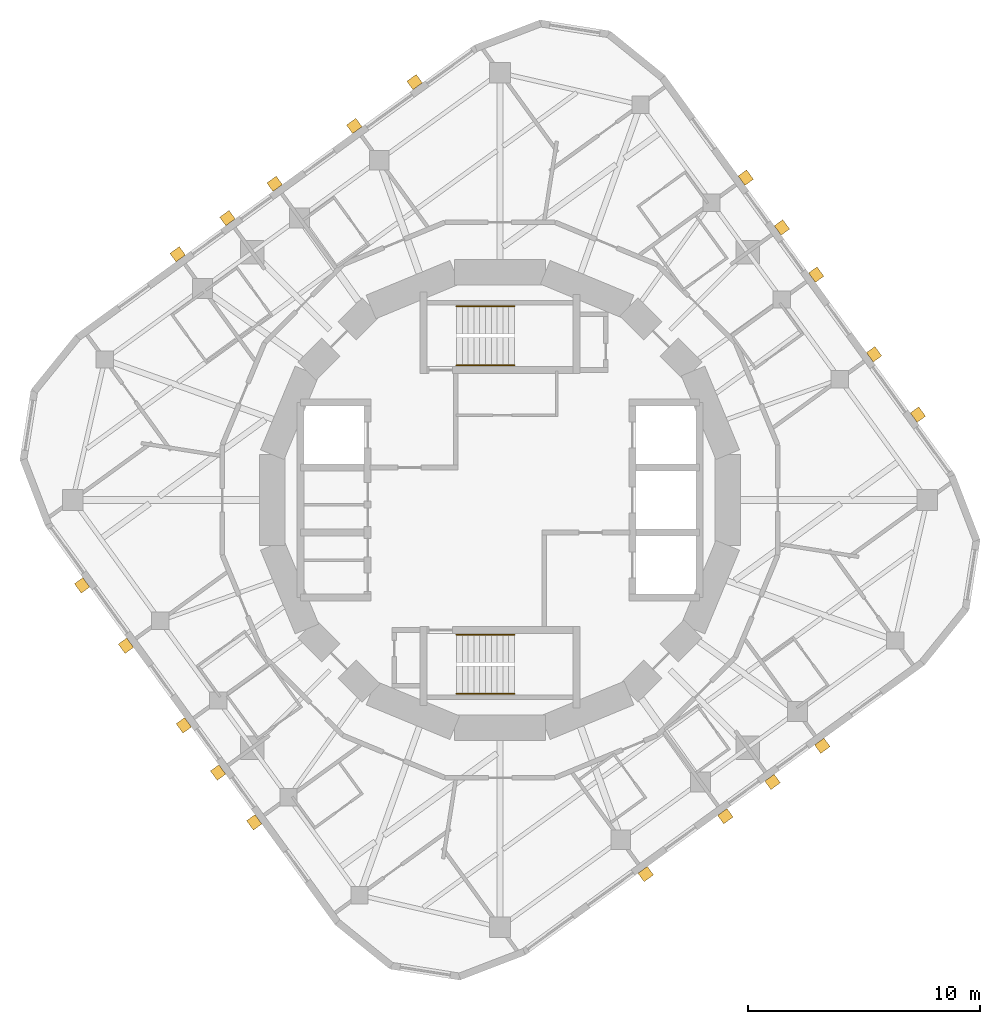
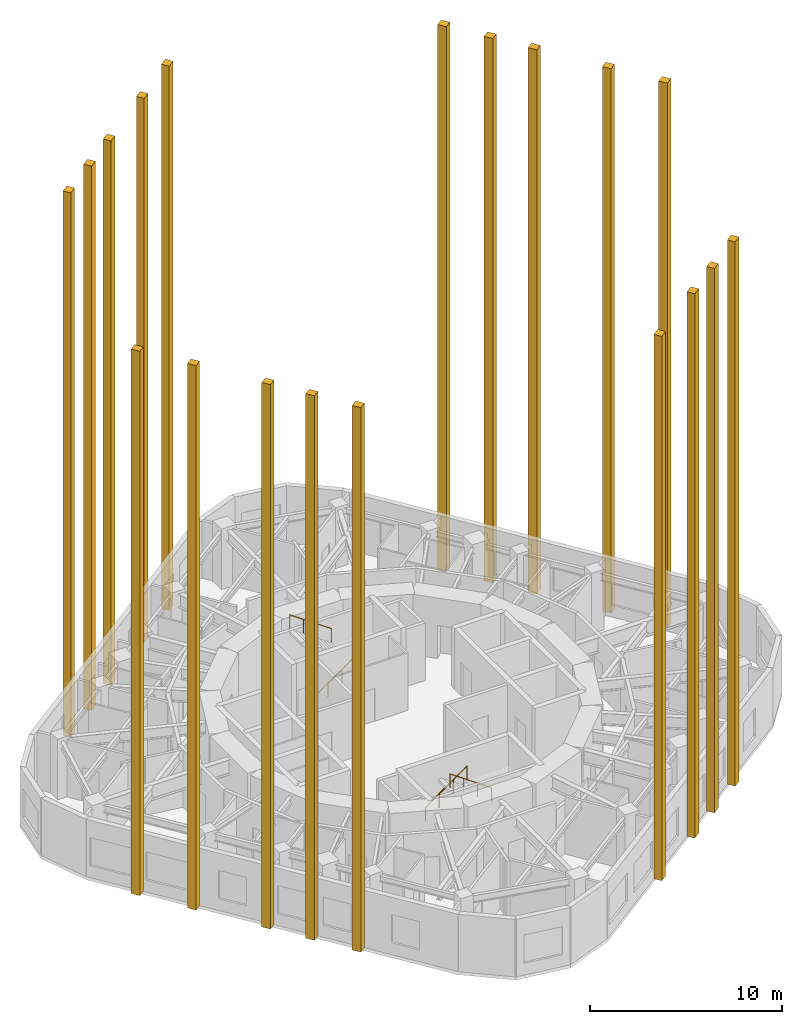
# One storey, part 9 of 9: 19 coverings, 4 railings.
"""IFC4 building model written with IfcOpenShell, lengths in metres."""

from ifc_helpers import new_model, si_unit, direction, frame, origin, origin_2d, place, context, subcontext, project, spatial, rectangle, circle, extrude, material, layer, layer_set, type_object, element, save


model = new_model("IFC4")

# Units and contexts
model_context = context("Model", 3, precision=1e-05, world=origin(), true_north=direction((0.0, 1.0)))
body_context = subcontext(model_context, "Body", "Model", "MODEL_VIEW")
ifc_project = project(units=[si_unit("LENGTHUNIT", "METRE"), si_unit("AREAUNIT", "SQUARE_METRE"), si_unit("VOLUMEUNIT", "CUBIC_METRE"), si_unit("PLANEANGLEUNIT", "RADIAN"), si_unit("MASSUNIT", "GRAM", prefix="KILO")], contexts=[model_context])

# Site, building, storey
site_placement = place(None, origin())
site = spatial("IfcSite", under=ifc_project, at=site_placement, CompositionType="ELEMENT")
building_placement = place(site_placement, origin())
building = spatial("IfcBuilding", under=site, at=building_placement, Name="Nakasero Lantern House", CompositionType="ELEMENT")
storey_placement = place(building_placement, frame((0.0, 0.0, 263.75)))
storey = spatial("IfcBuildingStorey", under=building, at=storey_placement, Name="L64", CompositionType="ELEMENT", Elevation=263.75)

# Coverings
ifc_material_1 = material(Name="Concrete C40/50 precast", Category="concrete")
ifc_layer = layer(ifc_material_1, 0.449951171875)
ifc_layer_set = layer_set([ifc_layer], Name="Buttress pier 500x450")
covering_type = type_object("IfcCoveringType", Name="Buttress pier 500x450", PredefinedType="CLADDING", material=ifc_layer_set)
for number, where, z_axis, x_axis, name in (
    (1, (18.00048828125, 3.678955078125, 0.0), (0.0, 0.0, 1.0), (0.809016994375, 0.587785252292, 0.0), "Buttress pier B7 0-00"),
    (2, (16.11279296875, 6.27685546875, 0.0), (0.0, 0.0, 1.0), (0.809016994375, 0.587785252292, 0.0), "Buttress pier B7 0-01"),
    (3, (13.619873046875, 9.7080078125, 0.0), (0.0, 0.0, 1.0), (0.809016994375, 0.587785252292, 0.0), "Buttress pier B7 0-02"),
    (4, (12.143798828125, 11.739990234375, 0.0), (0.0, 0.0, 1.0), (0.809016994375, 0.587785252292, 0.0), "Buttress pier B7 0-03"),
    (5, (10.586181640625, 13.883544921875, 0.0), (0.0, 0.0, 1.0), (0.809016994375, 0.587785252292, 0.0), "Buttress pier B7 0-04"),
    (6, (-3.678955078125, 18.00048828125, 0.0), (0.0, 0.0, 1.0), (-0.587785252292, 0.809016994375, 0.0), "Buttress pier B7 1-00"),
    (7, (-6.27685546875, 16.11279296875, 0.0), (0.0, 0.0, 1.0), (-0.587785252292, 0.809016994375, 0.0), "Buttress pier B7 1-01"),
    (8, (-9.7080078125, 13.619873046875, 0.0), (0.0, 0.0, 1.0), (-0.587785252292, 0.809016994375, 0.0), "Buttress pier B7 1-02"),
    (9, (-11.739990234375, 12.143798828125, 0.0), (0.0, 0.0, 1.0), (-0.587785252292, 0.809016994375, 0.0), "Buttress pier B7 1-03"),
    (10, (-13.883544921875, 10.586181640625, 0.0), (0.0, 0.0, 1.0), (-0.587785252292, 0.809016994375, 0.0), "Buttress pier B7 1-04"),
    (11, (-18.00048828125, -3.678955078125, 0.0), (0.0, 0.0, 1.0), (-0.809016994375, -0.587785252292, 0.0), "Buttress pier B7 2-00"),
    (12, (-16.11279296875, -6.27685546875, 0.0), (0.0, 0.0, 1.0), (-0.809016994375, -0.587785252292, 0.0), "Buttress pier B7 2-01"),
    (13, (-13.619873046875, -9.7080078125, 0.0), (0.0, 0.0, 1.0), (-0.809016994375, -0.587785252292, 0.0), "Buttress pier B7 2-02"),
    (14, (-12.143798828125, -11.739990234375, 0.0), (0.0, 0.0, 1.0), (-0.809016994375, -0.587785252292, 0.0), "Buttress pier B7 2-03"),
    (15, (-10.586181640625, -13.883544921875, 0.0), (0.0, 0.0, 1.0), (-0.809016994375, -0.587785252292, 0.0), "Buttress pier B7 2-04"),
    (16, (6.27685546875, -16.11279296875, 0.0), (0.0, 0.0, 1.0), (0.587785252292, -0.809016994375, 0.0), "Buttress pier B7 3-00"),
    (17, (9.7080078125, -13.619873046875, 0.0), (0.0, 0.0, 1.0), (0.587785252292, -0.809016994375, 0.0), "Buttress pier B7 3-01"),
    (18, (11.739990234375, -12.143798828125, 0.0), (0.0, 0.0, 1.0), (0.587785252292, -0.809016994375, 0.0), "Buttress pier B7 3-02"),
    (19, (13.883544921875, -10.586181640625, 0.0), (0.0, 0.0, 1.0), (0.587785252292, -0.809016994375, 0.0), "Buttress pier B7 3-03"),
):
    element("IfcCovering", number, at=place(storey_placement, frame(where, z_axis=z_axis, x_axis=x_axis)), inside=storey, type_object=covering_type, Name=name, PredefinedType="CLADDING", context=body_context, shape_type="SweptSolid", body=[
        extrude(rectangle(XDim=0.449951171875, YDim=0.5, at=origin_2d()), origin(), (0.0, 0.0, 1.0), 34.64990234375),
    ])

# Railings
ifc_material_2 = material(Name="Stainless steel 316", Category="steel")
railing_type = type_object("IfcRailingType", Name="Stair handrail 900", PredefinedType="HANDRAIL", material=ifc_material_2)
railing_1_placement = place(storey_placement, frame((-1.875, 5.800048828125, 0.175048828125)))
element("IfcRailing", 20, at=railing_1_placement, inside=storey, type_object=railing_type, Name="Handrail ST1 L64 flight 1", PredefinedType="HANDRAIL", context=body_context, shape_type="SweptSolid", body=[
    extrude(circle(Radius=0.02392578125, at=origin_2d()), frame((0.0, 0.0, 0.8759765625), z_axis=(0.819231920519, 0.0, 0.573462344363), x_axis=(0.0, 1.0, 0.0)), (0.0, 0.0, 1.0), 3.0517578125),
    extrude(circle(Radius=0.02099609375, at=origin_2d()), origin(), (0.0, 0.0, 1.0), 0.851806640625),
    extrude(circle(Radius=0.02099609375, at=origin_2d()), frame((0.833251953125, 0.0, 0.583251953125)), (0.0, 0.0, 1.0), 0.851806640625),
    extrude(circle(Radius=0.02099609375, at=origin_2d()), frame((1.666748046875, 0.0, 1.166748046875)), (0.0, 0.0, 1.0), 0.851806640625),
    extrude(circle(Radius=0.02099609375, at=origin_2d()), frame((2.5, 0.0, 1.75)), (0.0, 0.0, 1.0), 0.851806640625),
])
railing_2_placement = place(storey_placement, frame((0.625, 8.35009765625, 2.10009765625)))
element("IfcRailing", 21, at=railing_2_placement, inside=storey, type_object=railing_type, Name="Handrail ST1 L64 flight 2", PredefinedType="HANDRAIL", context=body_context, shape_type="SweptSolid", body=[
    extrude(circle(Radius=0.02392578125, at=origin_2d()), frame((0.0, 0.0, 0.8759765625), z_axis=(-0.819231920519, 0.0, 0.573462344363), x_axis=(0.0, -1.0, 0.0)), (0.0, 0.0, 1.0), 3.0517578125),
    extrude(circle(Radius=0.02099609375, at=origin_2d()), origin(), (0.0, 0.0, 1.0), 0.851806640625),
    extrude(circle(Radius=0.02099609375, at=origin_2d()), frame((-0.833251953125, 0.0, 0.583251953125)), (0.0, 0.0, 1.0), 0.851806640625),
    extrude(circle(Radius=0.02099609375, at=origin_2d()), frame((-1.666748046875, 0.0, 1.166748046875)), (0.0, 0.0, 1.0), 0.851806640625),
    extrude(circle(Radius=0.02099609375, at=origin_2d()), frame((-2.5, 0.0, 1.75)), (0.0, 0.0, 1.0), 0.851806640625),
])
railing_3_placement = place(storey_placement, frame((-1.875, -5.800048828125, 0.175048828125)))
element("IfcRailing", 22, at=railing_3_placement, inside=storey, type_object=railing_type, Name="Handrail ST2 L64 flight 1", PredefinedType="HANDRAIL", context=body_context, shape_type="SweptSolid", body=[
    extrude(circle(Radius=0.02392578125, at=origin_2d()), frame((0.0, 0.0, 0.8759765625), z_axis=(0.819231920519, 0.0, 0.573462344363), x_axis=(0.0, 1.0, 0.0)), (0.0, 0.0, 1.0), 3.0517578125),
    extrude(circle(Radius=0.02099609375, at=origin_2d()), origin(), (0.0, 0.0, 1.0), 0.851806640625),
    extrude(circle(Radius=0.02099609375, at=origin_2d()), frame((0.833251953125, 0.0, 0.583251953125)), (0.0, 0.0, 1.0), 0.851806640625),
    extrude(circle(Radius=0.02099609375, at=origin_2d()), frame((1.666748046875, 0.0, 1.166748046875)), (0.0, 0.0, 1.0), 0.851806640625),
    extrude(circle(Radius=0.02099609375, at=origin_2d()), frame((2.5, 0.0, 1.75)), (0.0, 0.0, 1.0), 0.851806640625),
])
railing_4_placement = place(storey_placement, frame((0.625, -8.35009765625, 2.10009765625)))
element("IfcRailing", 23, at=railing_4_placement, inside=storey, type_object=railing_type, Name="Handrail ST2 L64 flight 2", PredefinedType="HANDRAIL", context=body_context, shape_type="SweptSolid", body=[
    extrude(circle(Radius=0.02392578125, at=origin_2d()), frame((0.0, 0.0, 0.8759765625), z_axis=(-0.819231920519, 0.0, 0.573462344363), x_axis=(0.0, -1.0, 0.0)), (0.0, 0.0, 1.0), 3.0517578125),
    extrude(circle(Radius=0.02099609375, at=origin_2d()), origin(), (0.0, 0.0, 1.0), 0.851806640625),
    extrude(circle(Radius=0.02099609375, at=origin_2d()), frame((-0.833251953125, 0.0, 0.583251953125)), (0.0, 0.0, 1.0), 0.851806640625),
    extrude(circle(Radius=0.02099609375, at=origin_2d()), frame((-1.666748046875, 0.0, 1.166748046875)), (0.0, 0.0, 1.0), 0.851806640625),
    extrude(circle(Radius=0.02099609375, at=origin_2d()), frame((-2.5, 0.0, 1.75)), (0.0, 0.0, 1.0), 0.851806640625),
])

save(model, "model.ifc")
